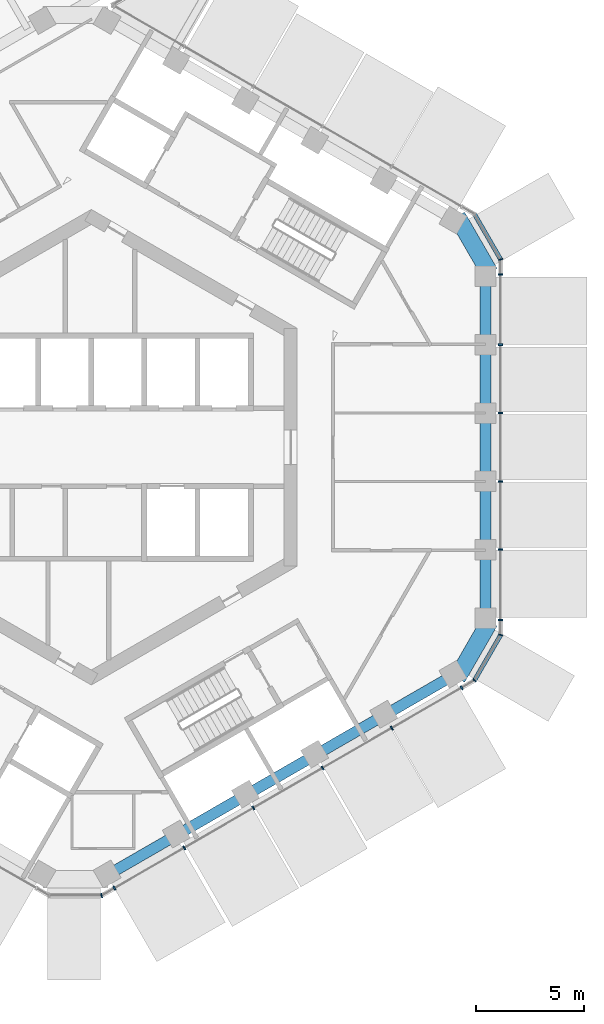
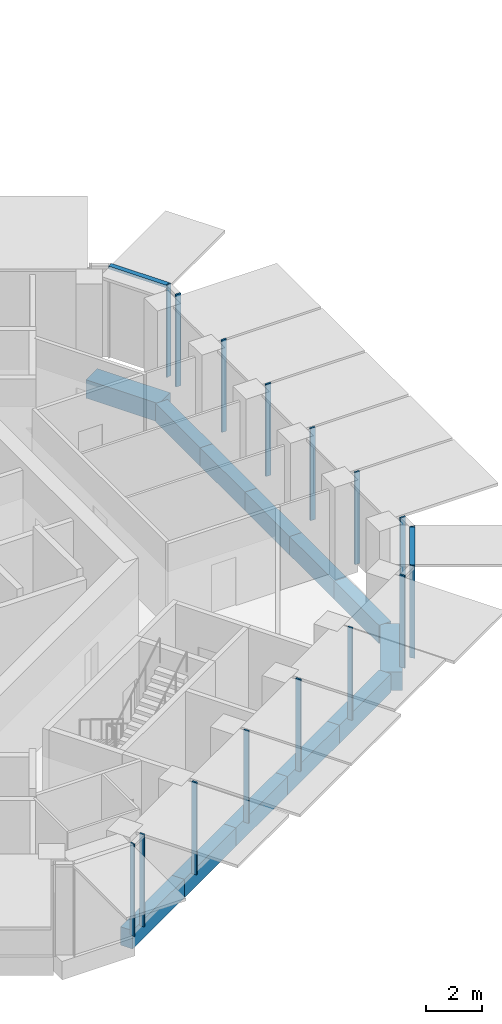
# One storey, part 4 of 27: 18 members, 12 beams, 5 elements without a shape of their own.
"""IFC4 building model written with IfcOpenShell, lengths in metres."""

from ifc_helpers import new_model, si_unit, direction, frame, origin, origin_2d, place, context, subcontext, project, spatial, rectangle, extrude, material, layer, layer_set, material_profile, profile_set, type_object, element, aggregate, save


model = new_model("IFC4")

# Units and contexts
model_context = context("Model", 3, precision=1e-05, world=origin(), true_north=direction((0.0, 1.0)))
body_context = subcontext(model_context, "Body", "Model", "MODEL_VIEW")
ifc_project = project(units=[si_unit("LENGTHUNIT", "METRE"), si_unit("AREAUNIT", "SQUARE_METRE"), si_unit("VOLUMEUNIT", "CUBIC_METRE"), si_unit("PLANEANGLEUNIT", "RADIAN"), si_unit("MASSUNIT", "GRAM", prefix="KILO")], contexts=[model_context])

# Site, building, storey
site_placement = place(None, origin())
site = spatial("IfcSite", under=ifc_project, at=site_placement, CompositionType="ELEMENT")
building_placement = place(site_placement, origin())
building = spatial("IfcBuilding", under=site, at=building_placement, Name="Ayvan Gate Tower", CompositionType="ELEMENT")
storey_placement = place(building_placement, frame((0.0, 0.0, 194.699951171875)))
storey = spatial("IfcBuildingStorey", under=building, at=storey_placement, Name="L52", CompositionType="ELEMENT", Elevation=194.699951171875)

# Beams
ifc_material_1 = material(Name="Concrete C40/50", Category="concrete")
ifc_material_profile_1 = material_profile(ifc_material_1, rectangle(XDim=0.800048828125, YDim=0.800048828125, at=origin_2d()), Name="RC 800x800")
ifc_profile_set_1 = profile_set([ifc_material_profile_1], Name="Concrete C40/50")
beam_type_1 = type_object("IfcBeamType", Name="Corner spandrel beam RC 800x800 C40/50", PredefinedType="BEAM", material=ifc_profile_set_1)
for number, where, z_axis, x_axis, name in (
    (1, (18.376953125, 8.047607421875, -0.800048828125), (-0.50002537861, 0.866010750942, 0.0), (-0.866010750942, -0.50002537861, 0.0), "SB-L52-6"),
    (2, (16.876953125, -10.6455078125, -0.800048828125), (0.50002537861, 0.866010750942, 0.0), (-0.866010750942, 0.50002537861, 0.0), "SB-L52-36"),
):
    element("IfcBeam", number, at=place(storey_placement, frame(where, z_axis=z_axis, x_axis=x_axis)), inside=storey, type_object=beam_type_1, Name=name, PredefinedType="BEAM", context=body_context, shape_type="SweptSolid", body=[
        extrude(rectangle(XDim=0.800048828125, YDim=0.800048828125, at=origin_2d()), origin(), (0.0, 0.0, 1.0), 2.999755859375),
    ])
ifc_material_profile_2 = material_profile(ifc_material_1, rectangle(XDim=0.5, YDim=0.800048828125, at=origin_2d()), Name="RC 500x800")
ifc_profile_set_2 = profile_set([ifc_material_profile_2], Name="Concrete C40/50")
beam_type_2 = type_object("IfcBeamType", Name="Spandrel beam RC 500x800 C40/50", PredefinedType="BEAM", material=ifc_profile_set_2)
for number, where, z_axis, x_axis, name in (
    (3, (18.1865234375, -7.9375, -0.800048828125), (0.0, 1.0, 0.0), (-1.0, 0.0, 0.0), "SB-L52-1"),
    (4, (18.1865234375, -4.762451171875, -0.800048828125), (0.0, 1.0, 0.0), (-1.0, 0.0, 0.0), "SB-L52-2"),
):
    element("IfcBeam", number, at=place(storey_placement, frame(where, z_axis=z_axis, x_axis=x_axis)), inside=storey, type_object=beam_type_2, Name=name, PredefinedType="BEAM", context=body_context, shape_type="SweptSolid", body=[
        extrude(rectangle(XDim=0.5, YDim=0.800048828125, at=origin_2d()), origin(), (0.0, 0.0, 1.0), 3.175048828125),
    ])
beam_1_placement = place(storey_placement, frame((18.1865234375, -1.58740234375, -0.800048828125), z_axis=(0.0, 1.0, 0.0), x_axis=(-1.0, 0.0, 0.0)))
element("IfcBeam", 5, at=beam_1_placement, inside=storey, type_object=beam_type_2, Name="SB-L52-3", PredefinedType="BEAM", context=body_context, shape_type="SweptSolid", body=[
    extrude(rectangle(XDim=0.5, YDim=0.800048828125, at=origin_2d()), origin(), (0.0, 0.0, 1.0), 3.1748046875),
])
for number, where, z_axis, x_axis, name in (
    (6, (18.1865234375, 1.58740234375, -0.800048828125), (0.0, 1.0, 0.0), (-1.0, 0.0, 0.0), "SB-L52-4"),
    (7, (18.1865234375, 4.762451171875, -0.800048828125), (0.0, 1.0, 0.0), (-1.0, 0.0, 0.0), "SB-L52-5"),
):
    element("IfcBeam", number, at=place(storey_placement, frame(where, z_axis=z_axis, x_axis=x_axis)), inside=storey, type_object=beam_type_2, Name=name, PredefinedType="BEAM", context=body_context, shape_type="SweptSolid", body=[
        extrude(rectangle(XDim=0.5, YDim=0.800048828125, at=origin_2d()), origin(), (0.0, 0.0, 1.0), 3.175048828125),
    ])
for number, where, z_axis, x_axis, name in (
    (8, (0.78076171875, -19.71875, -0.800048828125), (0.866021777747, 0.500006280429, 0.0), (-0.500006280429, 0.866021777747, 0.0), "SB-L52-31"),
    (9, (3.9619140625, -17.882080078125, -0.800048828125), (0.866021777747, 0.500006280429, 0.0), (-0.500006280429, 0.866021777747, 0.0), "SB-L52-32"),
):
    element("IfcBeam", number, at=place(storey_placement, frame(where, z_axis=z_axis, x_axis=x_axis)), inside=storey, type_object=beam_type_2, Name=name, PredefinedType="BEAM", context=body_context, shape_type="SweptSolid", body=[
        extrude(rectangle(XDim=0.5, YDim=0.800048828125, at=origin_2d()), origin(), (0.0, 0.0, 1.0), 3.67333984375),
    ])
beam_2_placement = place(storey_placement, frame((7.14306640625, -16.04541015625, -0.800048828125), z_axis=(0.866050557128, 0.4999564306, 0.0), x_axis=(-0.4999564306, 0.866050557128, 0.0)))
element("IfcBeam", 10, at=beam_2_placement, inside=storey, type_object=beam_type_2, Name="SB-L52-33", PredefinedType="BEAM", context=body_context, shape_type="SweptSolid", body=[
    extrude(rectangle(XDim=0.5, YDim=0.800048828125, at=origin_2d()), origin(), (0.0, 0.0, 1.0), 3.673095703125),
])
for number, where, z_axis, x_axis, name in (
    (11, (10.32421875, -14.208984375, -0.800048828125), (0.866021777747, 0.500006280429, 0.0), (-0.500006280429, 0.866021777747, 0.0), "SB-L52-34"),
    (12, (13.50537109375, -12.372314453125, -0.800048828125), (0.866021777747, 0.500006280429, 0.0), (-0.500006280429, 0.866021777747, 0.0), "SB-L52-35"),
):
    element("IfcBeam", number, at=place(storey_placement, frame(where, z_axis=z_axis, x_axis=x_axis)), inside=storey, type_object=beam_type_2, Name=name, PredefinedType="BEAM", context=body_context, shape_type="SweptSolid", body=[
        extrude(rectangle(XDim=0.5, YDim=0.800048828125, at=origin_2d()), origin(), (0.0, 0.0, 1.0), 3.67333984375),
    ])

# Curtain wall, members
ifc_material_2 = material(Name="Bronze anodised aluminium", Category="aluminium")
ifc_layer_1 = layer(ifc_material_2, 0.199951171875)
ifc_layer_set_1 = layer_set([ifc_layer_1], Name="Bronze anodised aluminium")
curtain_wall_type_1 = type_object("IfcCurtainWallType", Name="Stick curtain wall CW-2", PredefinedType="NOTDEFINED", material=ifc_layer_set_1)
curtain_wall_1_placement = place(storey_placement, origin())
curtain_wall_1 = element("IfcCurtainWall", 13, at=curtain_wall_1_placement, inside=storey, type_object=curtain_wall_type_1, Name="Stick curtain wall CW-2 L52", PredefinedType="NOTDEFINED")
ifc_material_profile_3 = material_profile(ifc_material_2, rectangle(XDim=0.199951171875, YDim=0.070068359375, at=origin_2d()), Name="Stick curtain wall CW-2 mullion 200 x 70")
ifc_profile_set_3 = profile_set([ifc_material_profile_3], Name="Bronze anodised aluminium")
member_type_1 = type_object("IfcMemberType", Name="Stick curtain wall CW-2 mullion 200 x 70", PredefinedType="MULLION", material=ifc_profile_set_3)
member_1_placement = place(storey_placement, frame((1.0673828125, -20.345458984375, 0.0), z_axis=(0.0, 0.0, 1.0), x_axis=(0.5, -0.866025403784, 0.0)))
member_1 = element("IfcMember", 14, at=member_1_placement, type_object=member_type_1, Name="CW-2 mullion 1", PredefinedType="MULLION", context=body_context, shape_type="SweptSolid", body=[
    extrude(rectangle(XDim=0.199951171875, YDim=0.070068359375, at=origin_2d()), origin(), (0.0, 0.0, 1.0), 4.0),
])
member_2_placement = place(storey_placement, frame((4.290771484375, -18.484619140625, 0.0), z_axis=(0.0, 0.0, 1.0), x_axis=(0.5, -0.866025403784, 0.0)))
member_2 = element("IfcMember", 15, at=member_2_placement, type_object=member_type_1, Name="CW-2 mullion 2", PredefinedType="MULLION", context=body_context, shape_type="SweptSolid", body=[
    extrude(rectangle(XDim=0.199951171875, YDim=0.070068359375, at=origin_2d()), origin(), (0.0, 0.0, 1.0), 4.0),
])
member_3_placement = place(storey_placement, frame((7.481201171875, -16.642578125, 0.0), z_axis=(0.0, 0.0, 1.0), x_axis=(0.5, -0.866025403784, 0.0)))
member_3 = element("IfcMember", 16, at=member_3_placement, type_object=member_type_1, Name="CW-2 mullion 3", PredefinedType="MULLION", context=body_context, shape_type="SweptSolid", body=[
    extrude(rectangle(XDim=0.199951171875, YDim=0.070068359375, at=origin_2d()), origin(), (0.0, 0.0, 1.0), 4.0),
])
member_4_placement = place(storey_placement, frame((10.67236328125, -14.800048828125, 0.0), z_axis=(0.0, 0.0, 1.0), x_axis=(0.5, -0.866025403784, 0.0)))
member_4 = element("IfcMember", 17, at=member_4_placement, type_object=member_type_1, Name="CW-2 mullion 4", PredefinedType="MULLION", context=body_context, shape_type="SweptSolid", body=[
    extrude(rectangle(XDim=0.199951171875, YDim=0.070068359375, at=origin_2d()), origin(), (0.0, 0.0, 1.0), 4.0),
])
member_5_placement = place(storey_placement, frame((13.86279296875, -12.9580078125, 0.0), z_axis=(0.0, 0.0, 1.0), x_axis=(0.5, -0.866025403784, 0.0)))
member_5 = element("IfcMember", 18, at=member_5_placement, type_object=member_type_1, Name="CW-2 mullion 5", PredefinedType="MULLION", context=body_context, shape_type="SweptSolid", body=[
    extrude(rectangle(XDim=0.199951171875, YDim=0.070068359375, at=origin_2d()), origin(), (0.0, 0.0, 1.0), 4.0),
])
member_6_placement = place(storey_placement, frame((17.0859375, -11.09716796875, 0.0), z_axis=(0.0, 0.0, 1.0), x_axis=(0.5, -0.866025403784, 0.0)))
member_6 = element("IfcMember", 19, at=member_6_placement, type_object=member_type_1, Name="CW-2 mullion 6", PredefinedType="MULLION", context=body_context, shape_type="SweptSolid", body=[
    extrude(rectangle(XDim=0.199951171875, YDim=0.070068359375, at=origin_2d()), origin(), (0.0, 0.0, 1.0), 4.0),
])
aggregate(curtain_wall_1, [member_1, member_2, member_3, member_4, member_5, member_6])

curtain_wall_2_placement = place(storey_placement, origin())
curtain_wall_2 = element("IfcCurtainWall", 20, at=curtain_wall_2_placement, inside=storey, type_object=curtain_wall_type_1, Name="Stick curtain wall CW-2 L52", PredefinedType="NOTDEFINED")
member_7_placement = place(storey_placement, frame((18.886474609375, -7.978515625, 0.0), z_axis=(0.0, 0.0, 1.0), x_axis=(1.0, 0.0, 0.0)))
member_7 = element("IfcMember", 21, at=member_7_placement, type_object=member_type_1, Name="CW-2 mullion 1", PredefinedType="MULLION", context=body_context, shape_type="SweptSolid", body=[
    extrude(rectangle(XDim=0.199951171875, YDim=0.070068359375, at=origin_2d()), origin(), (0.0, 0.0, 1.0), 4.0),
])
member_8_placement = place(storey_placement, frame((18.886474609375, -4.728515625, 0.0), z_axis=(0.0, 0.0, 1.0), x_axis=(1.0, 0.0, 0.0)))
member_8 = element("IfcMember", 22, at=member_8_placement, type_object=member_type_1, Name="CW-2 mullion 2", PredefinedType="MULLION", context=body_context, shape_type="SweptSolid", body=[
    extrude(rectangle(XDim=0.199951171875, YDim=0.070068359375, at=origin_2d()), origin(), (0.0, 0.0, 1.0), 4.0),
])
member_9_placement = place(storey_placement, frame((18.886474609375, -1.57666015625, 0.0), z_axis=(0.0, 0.0, 1.0), x_axis=(1.0, 0.0, 0.0)))
member_9 = element("IfcMember", 23, at=member_9_placement, type_object=member_type_1, Name="CW-2 mullion 3", PredefinedType="MULLION", context=body_context, shape_type="SweptSolid", body=[
    extrude(rectangle(XDim=0.199951171875, YDim=0.070068359375, at=origin_2d()), origin(), (0.0, 0.0, 1.0), 4.0),
])
member_10_placement = place(storey_placement, frame((18.886474609375, 1.576416015625, 0.0), z_axis=(0.0, 0.0, 1.0), x_axis=(1.0, 0.0, 0.0)))
member_10 = element("IfcMember", 24, at=member_10_placement, type_object=member_type_1, Name="CW-2 mullion 4", PredefinedType="MULLION", context=body_context, shape_type="SweptSolid", body=[
    extrude(rectangle(XDim=0.199951171875, YDim=0.070068359375, at=origin_2d()), origin(), (0.0, 0.0, 1.0), 4.0),
])
member_11_placement = place(storey_placement, frame((18.886474609375, 4.728515625, 0.0), z_axis=(0.0, 0.0, 1.0), x_axis=(1.0, 0.0, 0.0)))
member_11 = element("IfcMember", 25, at=member_11_placement, type_object=member_type_1, Name="CW-2 mullion 5", PredefinedType="MULLION", context=body_context, shape_type="SweptSolid", body=[
    extrude(rectangle(XDim=0.199951171875, YDim=0.070068359375, at=origin_2d()), origin(), (0.0, 0.0, 1.0), 4.0),
])
member_12_placement = place(storey_placement, frame((18.886474609375, 7.978515625, 0.0), z_axis=(0.0, 0.0, 1.0), x_axis=(1.0, 0.0, 0.0)))
member_12 = element("IfcMember", 26, at=member_12_placement, type_object=member_type_1, Name="CW-2 mullion 6", PredefinedType="MULLION", context=body_context, shape_type="SweptSolid", body=[
    extrude(rectangle(XDim=0.199951171875, YDim=0.070068359375, at=origin_2d()), origin(), (0.0, 0.0, 1.0), 4.0),
])
aggregate(curtain_wall_2, [member_7, member_8, member_9, member_10, member_11, member_12])

# Curtain wall, member
ifc_layer_2 = layer(ifc_material_2, 0.199951171875)
ifc_layer_set_2 = layer_set([ifc_layer_2], Name="Bronze anodised aluminium")
curtain_wall_type_2 = type_object("IfcCurtainWallType", Name="Stick curtain wall CW-6", PredefinedType="NOTDEFINED", material=ifc_layer_set_2)
curtain_wall_3_placement = place(storey_placement, origin())
curtain_wall_3 = element("IfcCurtainWall", 27, at=curtain_wall_3_placement, inside=storey, type_object=curtain_wall_type_2, Name="Stick curtain wall CW-6 L52", PredefinedType="NOTDEFINED")
ifc_material_profile_4 = material_profile(ifc_material_2, rectangle(XDim=0.199951171875, YDim=0.050048828125, at=origin_2d()), Name="Stick curtain wall CW-6 mullion 200 x 50")
ifc_profile_set_4 = profile_set([ifc_material_profile_4], Name="Bronze anodised aluminium")
member_type_2 = type_object("IfcMemberType", Name="Stick curtain wall CW-6 mullion 200 x 50", PredefinedType="MULLION", material=ifc_profile_set_4)
member_13_placement = place(storey_placement, frame((0.47412109375, -20.68798828125, 0.0), z_axis=(0.0, 0.0, 1.0), x_axis=(0.258819045103, -0.965925826289, 0.0)))
member_13 = element("IfcMember", 28, at=member_13_placement, type_object=member_type_2, Name="CW-6 mullion 3", PredefinedType="MULLION", context=body_context, shape_type="SweptSolid", body=[
    extrude(rectangle(XDim=0.199951171875, YDim=0.050048828125, at=origin_2d()), origin(), (0.0, 0.0, 1.0), 4.0),
])
aggregate(curtain_wall_3, [member_13])

# Curtain wall, members
curtain_wall_4_placement = place(storey_placement, origin())
curtain_wall_4 = element("IfcCurtainWall", 29, at=curtain_wall_4_placement, inside=storey, type_object=curtain_wall_type_2, Name="Stick curtain wall CW-6 L52", PredefinedType="NOTDEFINED")
member_14_placement = place(storey_placement, frame((17.67919921875, -10.754638671875, 0.0), z_axis=(0.0, 0.0, 1.0), x_axis=(0.707106781187, -0.707106781187, 0.0)))
member_14 = element("IfcMember", 30, at=member_14_placement, type_object=member_type_2, Name="CW-6 mullion 2", PredefinedType="MULLION", context=body_context, shape_type="SweptSolid", body=[
    extrude(rectangle(XDim=0.199951171875, YDim=0.050048828125, at=origin_2d()), origin(), (0.0, 0.0, 1.0), 4.0),
])
member_15_placement = place(storey_placement, frame((18.886474609375, -8.66357421875, 0.0), z_axis=(0.0, 0.0, 1.0), x_axis=(0.965925826289, -0.258819045103, 0.0)))
member_15 = element("IfcMember", 31, at=member_15_placement, type_object=member_type_2, Name="CW-6 mullion 3", PredefinedType="MULLION", context=body_context, shape_type="SweptSolid", body=[
    extrude(rectangle(XDim=0.199951171875, YDim=0.050048828125, at=origin_2d()), origin(), (0.0, 0.0, 1.0), 4.0),
])

# Curtain wall, member
curtain_wall_5_placement = place(storey_placement, origin())
curtain_wall_5 = element("IfcCurtainWall", 32, at=curtain_wall_5_placement, inside=storey, type_object=curtain_wall_type_2, Name="Stick curtain wall CW-6 L52", PredefinedType="NOTDEFINED")
member_16_placement = place(storey_placement, frame((18.886474609375, 8.66357421875, 0.0), z_axis=(0.0, 0.0, 1.0), x_axis=(0.965925826289, 0.258819045103, 0.0)))
member_16 = element("IfcMember", 33, at=member_16_placement, type_object=member_type_2, Name="CW-6 mullion 2", PredefinedType="MULLION", context=body_context, shape_type="SweptSolid", body=[
    extrude(rectangle(XDim=0.199951171875, YDim=0.050048828125, at=origin_2d()), origin(), (0.0, 0.0, 1.0), 4.0),
])

# Member
ifc_material_profile_5 = material_profile(ifc_material_2, rectangle(XDim=0.199951171875, YDim=0.1201171875, at=origin_2d()), Name="Stick curtain wall CW-6 transom 200 x 120")
ifc_profile_set_5 = profile_set([ifc_material_profile_5], Name="Bronze anodised aluminium")
member_type_3 = type_object("IfcMemberType", Name="Stick curtain wall CW-6 transom 200 x 120", PredefinedType="USERDEFINED", material=ifc_profile_set_5)
member_17_placement = place(storey_placement, frame((17.691650390625, -10.73291015625, 3.93994140625), z_axis=(0.500059108572, 0.865991274745, 0.0), x_axis=(-0.865991274745, 0.500059108572, 0.0)))
member_17 = element("IfcMember", 34, at=member_17_placement, type_object=member_type_3, Name="CW-6 transom 2", ObjectType="TRANSOM", PredefinedType="USERDEFINED", context=body_context, shape_type="SweptSolid", body=[
    extrude(rectangle(XDim=0.199951171875, YDim=0.1201171875, at=origin_2d()), origin(), (0.0, 0.0, 1.0), 2.364501953125),
])

aggregate(curtain_wall_4, [member_14, member_15, member_17])

member_18_placement = place(storey_placement, frame((18.8740234375, 8.685302734375, 3.93994140625), z_axis=(-0.500059108572, 0.865991274745, 0.0), x_axis=(-0.865991274745, -0.500059108572, 0.0)))
member_18 = element("IfcMember", 35, at=member_18_placement, type_object=member_type_3, Name="CW-6 transom 2", ObjectType="TRANSOM", PredefinedType="USERDEFINED", context=body_context, shape_type="SweptSolid", body=[
    extrude(rectangle(XDim=0.199951171875, YDim=0.1201171875, at=origin_2d()), origin(), (0.0, 0.0, 1.0), 2.364501953125),
])

aggregate(curtain_wall_5, [member_16, member_18])

save(model, "model.ifc")
